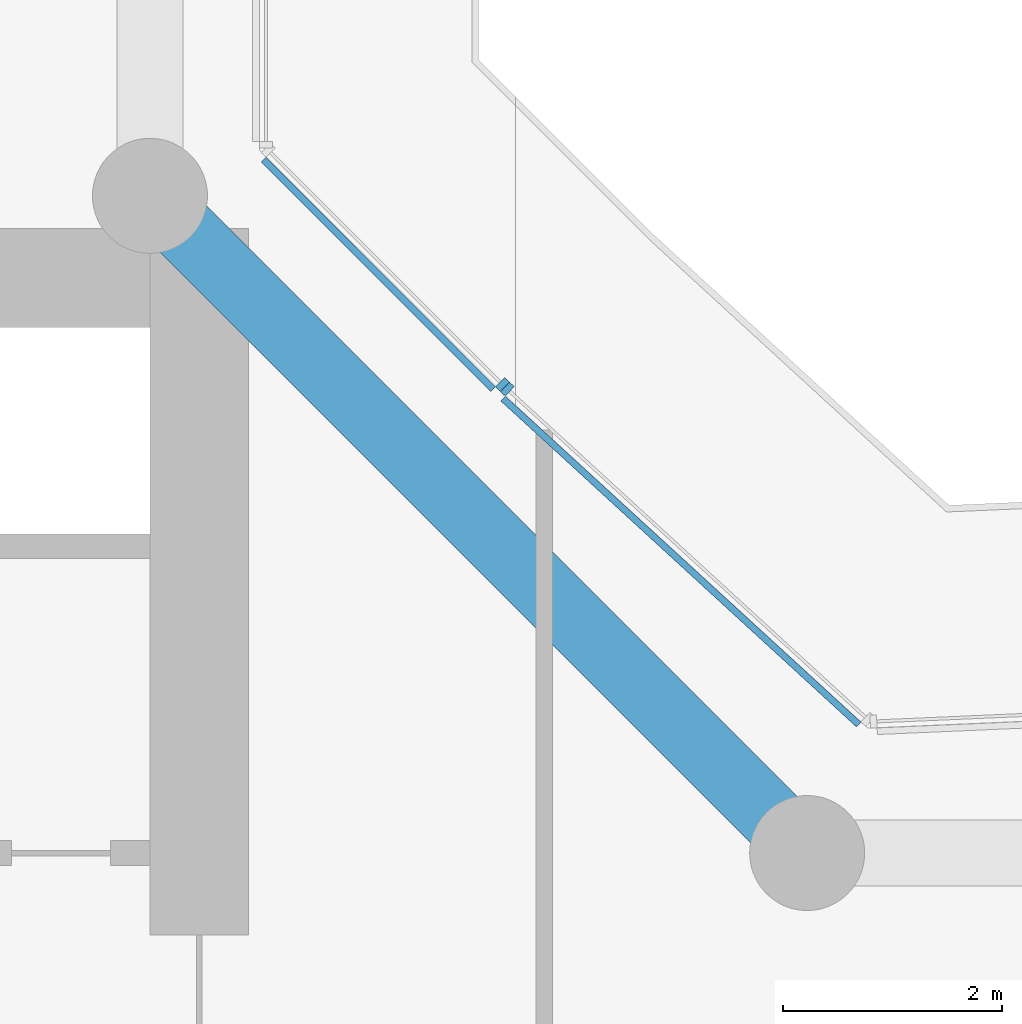
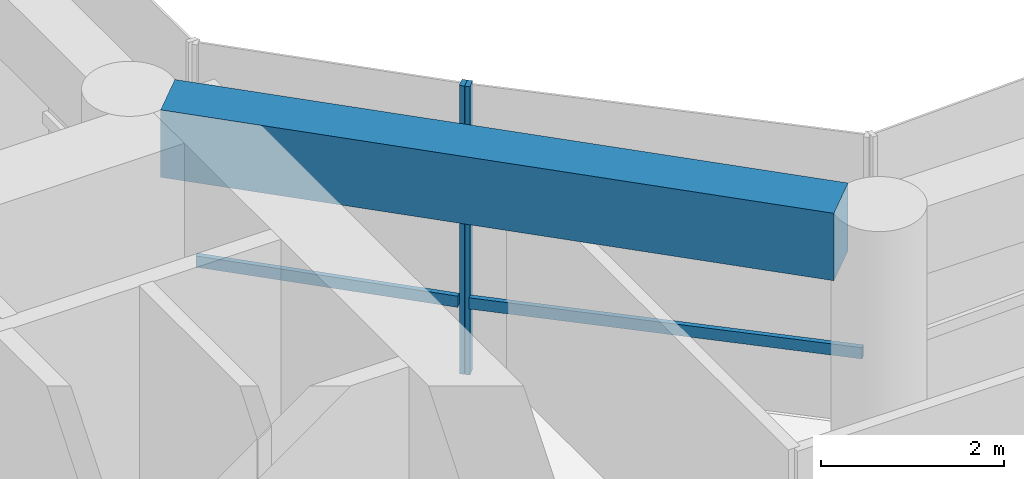
# One storey, part 7 of 29: 4 members, 1 beam, 2 elements without a shape of their own.
"""IFC4 building model written with IfcOpenShell, lengths in metres."""

from ifc_helpers import new_model, si_unit, direction, frame, origin, origin_2d, place, context, subcontext, project, spatial, rectangle, extrude, material, layer, layer_set, material_profile, profile_set, type_object, element, aggregate, save


model = new_model("IFC4")

# Units and contexts
model_context = context("Model", 3, precision=1e-05, world=origin(), true_north=direction((0.0, 1.0)))
body_context = subcontext(model_context, "Body", "Model", "MODEL_VIEW")
ifc_project = project(units=[si_unit("LENGTHUNIT", "METRE"), si_unit("AREAUNIT", "SQUARE_METRE"), si_unit("VOLUMEUNIT", "CUBIC_METRE"), si_unit("PLANEANGLEUNIT", "RADIAN"), si_unit("MASSUNIT", "GRAM", prefix="KILO")], contexts=[model_context])

# Site, building, storey
site_placement = place(None, origin())
site = spatial("IfcSite", under=ifc_project, at=site_placement, CompositionType="ELEMENT")
building_placement = place(site_placement, origin())
building = spatial("IfcBuilding", under=site, at=building_placement, Name="Welwitschia Terrace Campus", CompositionType="ELEMENT")
storey_placement = place(building_placement, frame((0.0, 0.0, 62.60009765625)))
storey = spatial("IfcBuildingStorey", under=building, at=storey_placement, Name="L14", CompositionType="ELEMENT", Elevation=62.60009765625)

# Curtain wall, member
ifc_material_1 = material(Name="Bronze anodised aluminium", Category="aluminium")
ifc_layer = layer(ifc_material_1, 0.1201171875)
ifc_layer_set = layer_set([ifc_layer], Name="Bronze anodised aluminium")
curtain_wall_type = type_object("IfcCurtainWallType", Name="Curtain wall CW2 tower 6000", PredefinedType="NOTDEFINED", material=ifc_layer_set)
curtain_wall_1_placement = place(storey_placement, origin())
curtain_wall_1 = element("IfcCurtainWall", 1, at=curtain_wall_1_placement, inside=storey, type_object=curtain_wall_type, Name="CW L14.8.0", PredefinedType="NOTDEFINED")
ifc_material_2 = material(Name="Bronze anodised aluminium", Category="aluminium")
ifc_material_profile_1 = material_profile(ifc_material_2, rectangle(XDim=0.1201171875, YDim=0.06005859375, at=origin_2d()))
ifc_profile_set_1 = profile_set([ifc_material_profile_1], Name="Bronze anodised aluminium")
member_type_1 = type_object("IfcMemberType", Name="Mullion 60x120", PredefinedType="MULLION", material=ifc_profile_set_1)
member_1_placement = place(storey_placement, frame((27.262451171875, 24.235595703125, 0.0), z_axis=(0.0, 0.0, 1.0), x_axis=(-0.675590207616, -0.73727733681, 0.0)))
member_1 = element("IfcMember", 2, at=member_1_placement, type_object=member_type_1, Name="Mullion L14.8.0.1", PredefinedType="MULLION", context=body_context, shape_type="SweptSolid", body=[
    extrude(rectangle(XDim=0.1201171875, YDim=0.06005859375, at=origin_2d()), origin(), (0.0, 0.0, 1.0), 3.849853515625),
])

curtain_wall_2_placement = place(storey_placement, origin())
curtain_wall_2 = element("IfcCurtainWall", 3, at=curtain_wall_2_placement, inside=storey, type_object=curtain_wall_type, Name="CW L14.9.0", PredefinedType="NOTDEFINED")
member_2_placement = place(storey_placement, frame((27.21923828125, 24.277099609375, 0.0), z_axis=(0.0, 0.0, 1.0), x_axis=(-0.707106781187, -0.707106781187, 0.0)))
member_2 = element("IfcMember", 4, at=member_2_placement, type_object=member_type_1, Name="Mullion L14.9.0.0", PredefinedType="MULLION", context=body_context, shape_type="SweptSolid", body=[
    extrude(rectangle(XDim=0.1201171875, YDim=0.06005859375, at=origin_2d()), origin(), (0.0, 0.0, 1.0), 3.849853515625),
])

# Beam
ifc_material_3 = material(Name="Concrete C60/75", Category="concrete")
ifc_material_profile_2 = material_profile(ifc_material_3, rectangle(XDim=0.60009765625, YDim=0.89990234375, at=origin_2d()))
ifc_profile_set_2 = profile_set([ifc_material_profile_2], Name="Concrete C60/75")
beam_type = type_object("IfcBeamType", Name="Ring spandrel 600x900", PredefinedType="SPANDREL", material=ifc_profile_set_2)
beam_placement = place(storey_placement, frame((29.69482421875, 20.30517578125, 3.39990234375), z_axis=(-0.707106781187, 0.707106781187, 0.0), x_axis=(-0.707106781187, -0.707106781187, 0.0)))
element("IfcBeam", 5, at=beam_placement, inside=storey, type_object=beam_type, Name="Spandrel SP2", PredefinedType="SPANDREL", context=body_context, shape_type="SweptSolid", body=[
    extrude(rectangle(XDim=0.60009765625, YDim=0.89990234375, at=origin_2d()), origin(), (0.0, 0.0, 1.0), 7.6220703125),
])

# Member
ifc_material_4 = material(Name="Bronze anodised aluminium", Category="aluminium")
ifc_material_profile_3 = material_profile(ifc_material_4, rectangle(XDim=0.06005859375, YDim=0.14990234375, at=origin_2d()))
ifc_profile_set_3 = profile_set([ifc_material_profile_3], Name="Bronze anodised aluminium")
member_type_2 = type_object("IfcMemberType", Name="Transom 60x150", PredefinedType="USERDEFINED", material=ifc_profile_set_3)
member_3_placement = place(storey_placement, frame((30.470947265625, 21.173583984375, 1.0), z_axis=(-0.737282986584, 0.675584041917, 0.0), x_axis=(-0.675584041917, -0.737282986584, 0.0)))
member_3 = element("IfcMember", 6, at=member_3_placement, type_object=member_type_2, Name="Transom L14.8.0", ObjectType="TRANSOM", PredefinedType="USERDEFINED", context=body_context, shape_type="SweptSolid", body=[
    extrude(rectangle(XDim=0.06005859375, YDim=0.14990234375, at=origin_2d()), origin(), (0.0, 0.0, 1.0), 4.404052734375),
])

aggregate(curtain_wall_1, [member_1, member_3])

member_4_placement = place(storey_placement, frame((27.13427734375, 24.234619140625, 1.0), z_axis=(-0.707065628457, 0.707147931521, 0.0), x_axis=(-0.707147931521, -0.707065628457, 0.0)))
member_4 = element("IfcMember", 7, at=member_4_placement, type_object=member_type_2, Name="Transom L14.9.0", ObjectType="TRANSOM", PredefinedType="USERDEFINED", context=body_context, shape_type="SweptSolid", body=[
    extrude(rectangle(XDim=0.06005859375, YDim=0.14990234375, at=origin_2d()), origin(), (0.0, 0.0, 1.0), 2.96630859375),
])

aggregate(curtain_wall_2, [member_2, member_4])

save(model, "model.ifc")
